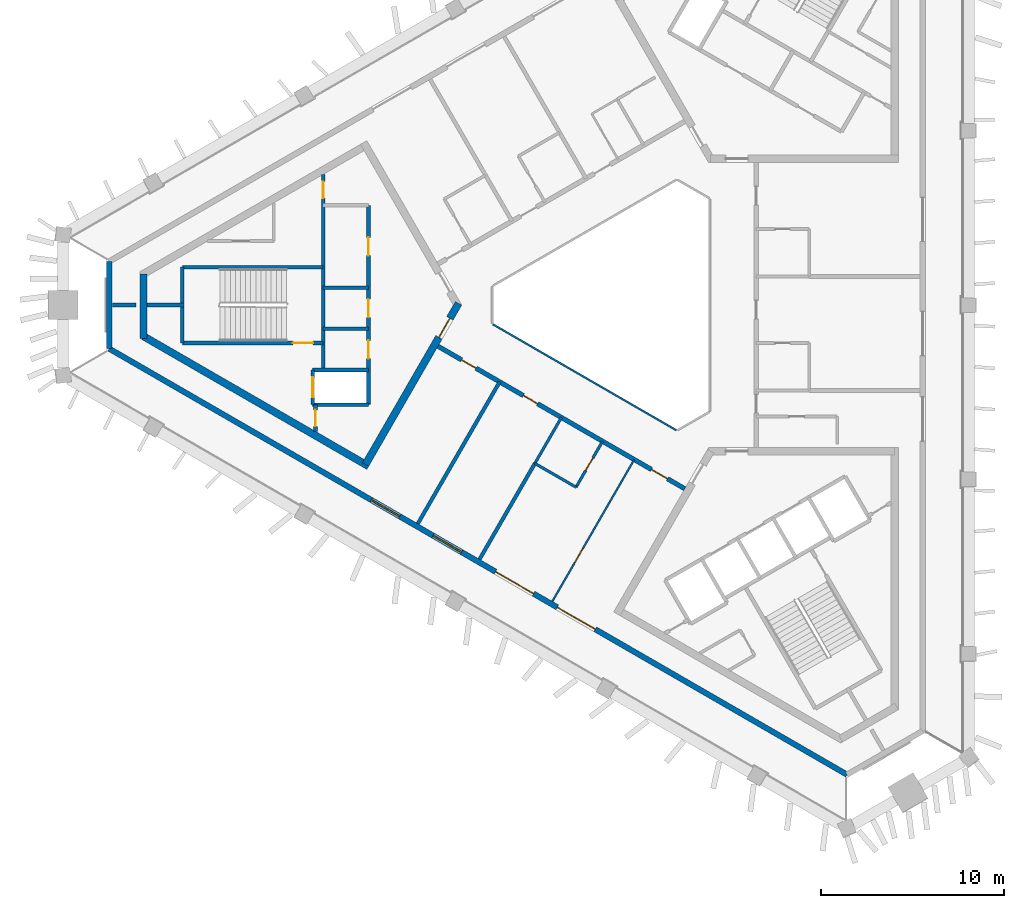
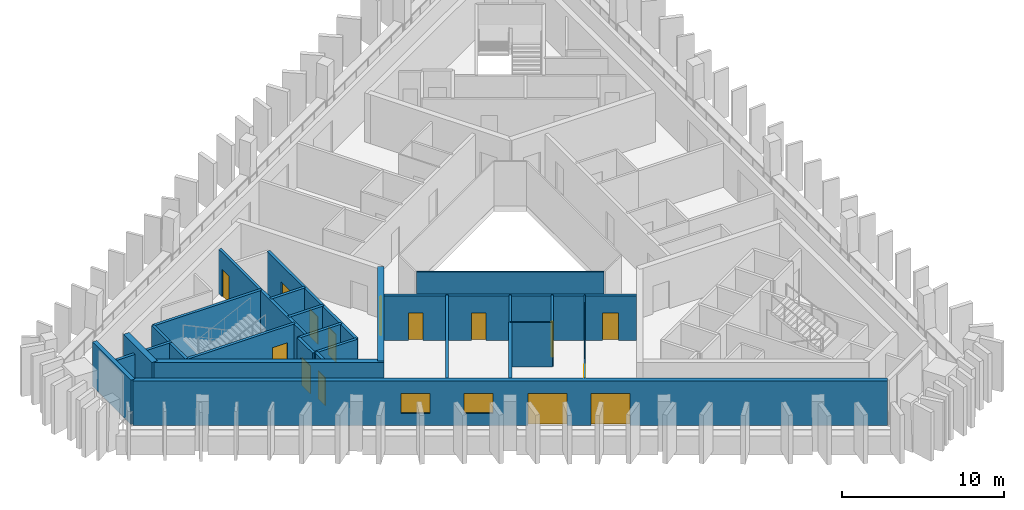
# One storey, part 2 of 8: 26 walls, 15 doors, 2 windows, 17 openings.
"""IFC4 building model written with IfcOpenShell, lengths in metres."""

from ifc_helpers import new_model, si_unit, direction, frame, frame_2d, origin, place, context, subcontext, project, spatial, rectangle, extrude, material, layer, layer_set, type_object, element, fill, save


model = new_model("IFC4")

# Units and contexts
model_context = context("Model", 3, precision=1e-05, world=origin(), true_north=direction((0.0, 1.0)))
body_context = subcontext(model_context, "Body", "Model", "MODEL_VIEW")
ifc_project = project(units=[si_unit("LENGTHUNIT", "METRE"), si_unit("AREAUNIT", "SQUARE_METRE"), si_unit("VOLUMEUNIT", "CUBIC_METRE"), si_unit("PLANEANGLEUNIT", "RADIAN"), si_unit("MASSUNIT", "GRAM", prefix="KILO")], contexts=[model_context])

# Site, building, storey
site_placement = place(None, origin())
site = spatial("IfcSite", under=ifc_project, at=site_placement, CompositionType="ELEMENT")
building_placement = place(site_placement, origin())
building = spatial("IfcBuilding", under=site, at=building_placement, Name="Jabali Bay Hotel Tower and Convention Centre", CompositionType="ELEMENT")
storey_placement = place(building_placement, frame((0.0, 0.0, 292.300048828125)))
storey = spatial("IfcBuildingStorey", under=building, at=storey_placement, Name="L72", CompositionType="ELEMENT", Elevation=292.300048828125)

# Walls
ifc_material_1 = material(Name="Fire-resistant glazing", Category="glass")
ifc_layer_1 = layer(ifc_material_1, 0.10009765625)
ifc_layer_set_1 = layer_set([ifc_layer_1], Name="Fire-resistant glazing")
wall_type_1 = type_object("IfcWallType", Name="Atrium glazed screen 100", PredefinedType="PARTITIONING", material=ifc_layer_set_1)
wall_1_placement = place(storey_placement, frame((67.7021484375, 78.947998046875, 0.0), z_axis=(0.0, 0.0, 1.0), x_axis=(0.866026658274, -0.499997827154, 0.0)))
element("IfcWall", 1, at=wall_1_placement, inside=storey, type_object=wall_type_1, Name="Atrium screen 5 L72", PredefinedType="PARTITIONING", context=body_context, shape_type="SweptSolid", body=[
    extrude(rectangle(XDim=11.58837890625, YDim=0.10009765625, at=frame_2d((5.794189453125, 0.0))), origin(), (0.0, 0.0, 1.0), 3.349853515625),
])
ifc_material_2 = material(Name="Concrete C40", Category="concrete")
ifc_layer_2 = layer(ifc_material_2, 0.199951171875)
ifc_layer_set_2 = layer_set([ifc_layer_2], Name="Concrete C40")
wall_type_2 = type_object("IfcWallType", Name="Core partition wall 200", PredefinedType="PARTITIONING", material=ifc_layer_set_2)
wall_2_placement = place(storey_placement, frame((50.820068359375, 80.0, 0.0), z_axis=(0.0, 0.0, 1.0), x_axis=(-1.0, 0.0, 0.0)))
element("IfcWall", 2, at=wall_2_placement, inside=storey, type_object=wall_type_2, Name="Core wall 0.4 L72", PredefinedType="PARTITIONING", context=body_context, shape_type="SweptSolid", body=[
    extrude(rectangle(XDim=2.023193359375, YDim=0.199951171875, at=frame_2d((1.01171875, 0.0))), origin(), (0.0, 0.0, 1.0), 3.349853515625),
])

# Wall, opening, door
wall_3_placement = place(storey_placement, frame((58.0, 74.550048828125, 0.0), z_axis=(0.0, 0.0, 1.0), x_axis=(0.0, -1.0, 0.0)))
wall_3 = element("IfcWall", 3, at=wall_3_placement, inside=storey, type_object=wall_type_2, Name="Core wall 0.11 L72", PredefinedType="PARTITIONING", context=body_context, shape_type="SweptSolid", body=[
    extrude(rectangle(XDim=1.455078125, YDim=0.199951171875, at=frame_2d((0.7275390625, 0.0))), origin(), (0.0, 0.0, 1.0), 3.349853515625),
])
opening_1_placement = place(wall_3_placement, frame((0.277587890625, 0.0, 0.0)))
opening_1 = element("IfcOpeningElement", 4, at=opening_1_placement, cuts=wall_3, Name="Opening D1594", PredefinedType="OPENING", context=body_context, shape_type="SweptSolid", body=[
    extrude(rectangle(XDim=0.89990234375, YDim=2.10009765625, at=frame_2d((0.449951171875, 1.050048828125))), frame((0.0, 0.1103515625, 0.0), z_axis=(0.0, -1.0, 0.0), x_axis=(1.0, 0.0, 0.0)), (0.0, 0.0, 1.0), 0.220947265625),
])
ifc_material_3 = material(Name="Fire-rated steel door", Category="steel")
door_type_1 = type_object("IfcDoorType", Name="Vestibule fire door 900 x 2100", OperationType="NOTDEFINED", PredefinedType="NOTDEFINED", material=ifc_material_3)
door_1_placement = place(opening_1_placement, origin())
door_1 = element("IfcDoor", 5, at=door_1_placement, inside=storey, type_object=door_type_1, Name="Vestibule fire door D1594", OperationType="SINGLE_SWING_LEFT", OverallHeight=2.10009765625, OverallWidth=0.89990234375, PredefinedType="NOTDEFINED", context=body_context, shape_type="SweptSolid", body=[
    extrude(rectangle(XDim=0.89990234375, YDim=2.10009765625, at=frame_2d((0.449951171875, 1.050048828125))), frame((0.0, 0.02490234375, 0.0), z_axis=(0.0, -1.0, 0.0), x_axis=(1.0, 0.0, 0.0)), (0.0, 0.0, 1.0), 0.050048828125),
])
fill(opening_1, door_1)

# Walls
ifc_layer_3 = layer(ifc_material_2, 0.199951171875)
ifc_layer_set_3 = layer_set([ifc_layer_3], Name="Concrete C40")
wall_type_3 = type_object("IfcWallType", Name="Core stair wall 200", PredefinedType="SOLIDWALL", material=ifc_layer_set_3)
wall_4_placement = place(storey_placement, frame((58.419921875, 82.074951171875, 0.0), z_axis=(0.0, 0.0, 1.0), x_axis=(-1.0, 0.0, 0.0)))
element("IfcWall", 6, at=wall_4_placement, inside=storey, type_object=wall_type_3, Name="Core wall 0.2 L72", PredefinedType="SOLIDWALL", context=body_context, shape_type="SweptSolid", body=[
    extrude(rectangle(XDim=7.699951171875, YDim=0.199951171875, at=frame_2d((3.85009765625, 0.0))), origin(), (0.0, 0.0, 1.0), 3.349853515625),
])
for number, where, z_axis, x_axis, name in (
    (7, (60.89990234375, 80.949951171875, 0.0), (0.0, 0.0, 1.0), (-1.0, 0.0, 0.0), "Core wall 0.3 L72"),
    (8, (60.89990234375, 78.699951171875, 0.0), (0.0, 0.0, 1.0), (-1.0, 0.0, 0.0), "Core wall 0.5 L72"),
):
    element("IfcWall", number, at=place(storey_placement, frame(where, z_axis=z_axis, x_axis=x_axis)), inside=storey, type_object=wall_type_3, Name=name, PredefinedType="SOLIDWALL", context=body_context, shape_type="SweptSolid", body=[
        extrude(rectangle(XDim=2.47998046875, YDim=0.199951171875, at=frame_2d((1.239990234375, 0.0))), origin(), (0.0, 0.0, 1.0), 3.349853515625),
    ])

# Wall, opening, door
wall_5_placement = place(storey_placement, frame((58.419921875, 77.925048828125, 0.0), z_axis=(0.0, 0.0, 1.0), x_axis=(-1.0, 0.0, 0.0)))
wall_5 = element("IfcWall", 9, at=wall_5_placement, inside=storey, type_object=wall_type_3, Name="Core wall 0.6 L72", PredefinedType="SOLIDWALL", context=body_context, shape_type="SweptSolid", body=[
    extrude(rectangle(XDim=7.699951171875, YDim=0.199951171875, at=frame_2d((3.85009765625, 0.0))), origin(), (0.0, 0.0, 1.0), 3.349853515625),
])
opening_2_placement = place(wall_5_placement, frame((0.550048828125, 0.0, 0.0)))
opening_2 = element("IfcOpeningElement", 10, at=opening_2_placement, cuts=wall_5, Name="Opening D1596", PredefinedType="OPENING", context=body_context, shape_type="SweptSolid", body=[
    extrude(rectangle(XDim=1.10009765625, YDim=2.10009765625, at=frame_2d((0.550048828125, 1.050048828125))), frame((0.0, 0.1103515625, 0.0), z_axis=(0.0, -1.0, 0.0), x_axis=(1.0, 0.0, 0.0)), (0.0, 0.0, 1.0), 0.220947265625),
])
door_type_2 = type_object("IfcDoorType", Name="Stair fire door 1100 x 2100", OperationType="NOTDEFINED", PredefinedType="NOTDEFINED", material=ifc_material_3)
door_2_placement = place(opening_2_placement, origin())
door_2 = element("IfcDoor", 11, at=door_2_placement, inside=storey, type_object=door_type_2, Name="Stair fire door D1596", OperationType="SINGLE_SWING_RIGHT", OverallHeight=2.10009765625, OverallWidth=1.10009765625, PredefinedType="NOTDEFINED", context=body_context, shape_type="SweptSolid", body=[
    extrude(rectangle(XDim=1.10009765625, YDim=2.10009765625, at=frame_2d((0.550048828125, 1.050048828125))), frame((0.0, 0.02490234375, 0.0), z_axis=(0.0, -1.0, 0.0), x_axis=(1.0, 0.0, 0.0)), (0.0, 0.0, 1.0), 0.050048828125),
])
fill(opening_2, door_2)

# Walls
for number, where, z_axis, x_axis, name in (
    (12, (60.89990234375, 76.449951171875, 0.0), (0.0, 0.0, 1.0), (-1.0, 0.0, 0.0), "Core wall 0.7 L72"),
    (13, (60.89990234375, 74.550048828125, 0.0), (0.0, 0.0, 1.0), (-1.0, 0.0, 0.0), "Core wall 0.8 L72"),
):
    element("IfcWall", number, at=place(storey_placement, frame(where, z_axis=z_axis, x_axis=x_axis)), inside=storey, type_object=wall_type_3, Name=name, PredefinedType="SOLIDWALL", context=body_context, shape_type="SweptSolid", body=[
        extrude(rectangle(XDim=3.0498046875, YDim=0.199951171875, at=frame_2d((1.52490234375, 0.0))), origin(), (0.0, 0.0, 1.0), 3.349853515625),
    ])

# Wall, openings, doors
wall_6_placement = place(storey_placement, frame((60.89990234375, 85.449951171875, 0.0), z_axis=(0.0, 0.0, 1.0), x_axis=(0.0, -1.0, 0.0)))
wall_6 = element("IfcWall", 14, at=wall_6_placement, inside=storey, type_object=wall_type_3, Name="Core wall 0.9 L72", PredefinedType="SOLIDWALL", context=body_context, shape_type="SweptSolid", body=[
    extrude(rectangle(XDim=10.89990234375, YDim=0.199951171875, at=frame_2d((5.449951171875, 0.0))), origin(), (0.0, 0.0, 1.0), 3.349853515625),
])
opening_3_placement = place(wall_6_placement, frame((1.75, 0.0, 0.0)))
opening_3 = element("IfcOpeningElement", 15, at=opening_3_placement, cuts=wall_6, Name="Opening D1591", PredefinedType="OPENING", context=body_context, shape_type="SweptSolid", body=[
    extrude(rectangle(XDim=1.0, YDim=2.10009765625, at=frame_2d((0.5, 1.050048828125))), frame((0.0, 0.1103515625, 0.0), z_axis=(0.0, -1.0, 0.0), x_axis=(1.0, 0.0, 0.0)), (0.0, 0.0, 1.0), 0.220947265625),
])
opening_4_placement = place(wall_6_placement, frame((5.125, 0.0, 0.0)))
opening_4 = element("IfcOpeningElement", 16, at=opening_4_placement, cuts=wall_6, Name="Opening D1592", PredefinedType="OPENING", context=body_context, shape_type="SweptSolid", body=[
    extrude(rectangle(XDim=1.0, YDim=2.10009765625, at=frame_2d((0.5, 1.050048828125))), frame((0.0, 0.1103515625, 0.0), z_axis=(0.0, -1.0, 0.0), x_axis=(1.0, 0.0, 0.0)), (0.0, 0.0, 1.0), 0.220947265625),
])
opening_5_placement = place(wall_6_placement, frame((7.375, 0.0, 0.0)))
opening_5 = element("IfcOpeningElement", 17, at=opening_5_placement, cuts=wall_6, Name="Opening D1593", PredefinedType="OPENING", context=body_context, shape_type="SweptSolid", body=[
    extrude(rectangle(XDim=1.0, YDim=2.10009765625, at=frame_2d((0.5, 1.050048828125))), frame((0.0, 0.1103515625, 0.0), z_axis=(0.0, -1.0, 0.0), x_axis=(1.0, 0.0, 0.0)), (0.0, 0.0, 1.0), 0.220947265625),
])
door_type_3 = type_object("IfcDoorType", Name="Core room door 1000 x 2100", OperationType="NOTDEFINED", PredefinedType="NOTDEFINED", material=ifc_material_3)
door_3_placement = place(opening_3_placement, origin())
door_3 = element("IfcDoor", 18, at=door_3_placement, inside=storey, type_object=door_type_3, Name="Core room door D1591", OperationType="SINGLE_SWING_RIGHT", OverallHeight=2.10009765625, OverallWidth=1.0, PredefinedType="NOTDEFINED", context=body_context, shape_type="SweptSolid", body=[
    extrude(rectangle(XDim=1.0, YDim=2.10009765625, at=frame_2d((0.5, 1.050048828125))), frame((0.0, 0.02490234375, 0.0), z_axis=(0.0, -1.0, 0.0), x_axis=(1.0, 0.0, 0.0)), (0.0, 0.0, 1.0), 0.050048828125),
])
fill(opening_3, door_3)
door_4_placement = place(opening_4_placement, origin())
door_4 = element("IfcDoor", 19, at=door_4_placement, inside=storey, type_object=door_type_3, Name="Core room door D1592", OperationType="SINGLE_SWING_RIGHT", OverallHeight=2.10009765625, OverallWidth=1.0, PredefinedType="NOTDEFINED", context=body_context, shape_type="SweptSolid", body=[
    extrude(rectangle(XDim=1.0, YDim=2.10009765625, at=frame_2d((0.5, 1.050048828125))), frame((0.0, 0.02490234375, 0.0), z_axis=(0.0, -1.0, 0.0), x_axis=(1.0, 0.0, 0.0)), (0.0, 0.0, 1.0), 0.050048828125),
])
fill(opening_4, door_4)
door_5_placement = place(opening_5_placement, origin())
door_5 = element("IfcDoor", 20, at=door_5_placement, inside=storey, type_object=door_type_3, Name="Core room door D1593", OperationType="SINGLE_SWING_RIGHT", OverallHeight=2.10009765625, OverallWidth=1.0, PredefinedType="NOTDEFINED", context=body_context, shape_type="SweptSolid", body=[
    extrude(rectangle(XDim=1.0, YDim=2.10009765625, at=frame_2d((0.5, 1.050048828125))), frame((0.0, 0.02490234375, 0.0), z_axis=(0.0, -1.0, 0.0), x_axis=(1.0, 0.0, 0.0)), (0.0, 0.0, 1.0), 0.050048828125),
])
fill(opening_5, door_5)

# Wall, opening, door
wall_7_placement = place(storey_placement, frame((58.419921875, 87.147705078125, 0.0), z_axis=(0.0, 0.0, 1.0), x_axis=(0.0, -1.0, 0.0)))
wall_7 = element("IfcWall", 21, at=wall_7_placement, inside=storey, type_object=wall_type_3, Name="Core wall 0.10 L72", PredefinedType="SOLIDWALL", context=body_context, shape_type="SweptSolid", body=[
    extrude(rectangle(XDim=10.69775390625, YDim=0.199951171875, at=frame_2d((5.348876953125, 0.0))), origin(), (0.0, 0.0, 1.0), 3.349853515625),
])
opening_6_placement = place(wall_7_placement, frame((0.398681640625, 0.0, 0.0)))
opening_6 = element("IfcOpeningElement", 22, at=opening_6_placement, cuts=wall_7, Name="Opening D1595", PredefinedType="OPENING", context=body_context, shape_type="SweptSolid", body=[
    extrude(rectangle(XDim=0.89990234375, YDim=2.10009765625, at=frame_2d((0.449951171875, 1.050048828125))), frame((0.0, 0.1103515625, 0.0), z_axis=(0.0, -1.0, 0.0), x_axis=(1.0, 0.0, 0.0)), (0.0, 0.0, 1.0), 0.220947265625),
])
door_6_placement = place(opening_6_placement, origin())
door_6 = element("IfcDoor", 23, at=door_6_placement, inside=storey, type_object=door_type_1, Name="Vestibule fire door D1595", OperationType="SINGLE_SWING_LEFT", OverallHeight=2.10009765625, OverallWidth=0.89990234375, PredefinedType="NOTDEFINED", context=body_context, shape_type="SweptSolid", body=[
    extrude(rectangle(XDim=0.89990234375, YDim=2.10009765625, at=frame_2d((0.449951171875, 1.050048828125))), frame((0.0, 0.02490234375, 0.0), z_axis=(0.0, -1.0, 0.0), x_axis=(1.0, 0.0, 0.0)), (0.0, 0.0, 1.0), 0.050048828125),
])
fill(opening_6, door_6)

wall_8_placement = place(storey_placement, frame((57.85009765625, 76.449951171875, 0.0), z_axis=(0.0, 0.0, 1.0), x_axis=(0.0, -1.0, 0.0)))
wall_8 = element("IfcWall", 24, at=wall_8_placement, inside=storey, type_object=wall_type_3, Name="Core wall 0.12 L72", PredefinedType="SOLIDWALL", context=body_context, shape_type="SweptSolid", body=[
    extrude(rectangle(XDim=1.89990234375, YDim=0.199951171875, at=frame_2d((0.949951171875, 0.0))), origin(), (0.0, 0.0, 1.0), 3.349853515625),
])
opening_7_placement = place(wall_8_placement, frame((0.39990234375, 0.0, 0.0)))
opening_7 = element("IfcOpeningElement", 25, at=opening_7_placement, cuts=wall_8, Name="Opening LD5-L72", PredefinedType="OPENING", context=body_context, shape_type="SweptSolid", body=[
    extrude(rectangle(XDim=1.10009765625, YDim=2.10009765625, at=frame_2d((0.550048828125, 1.050048828125))), frame((0.0, 0.1103515625, 0.0), z_axis=(0.0, -1.0, 0.0), x_axis=(1.0, 0.0, 0.0)), (0.0, 0.0, 1.0), 0.220947265625),
])
ifc_material_4 = material(Name="Stainless steel landing door", Category="steel")
door_type_4 = type_object("IfcDoorType", Name="Landing door 1100 x 2100", OperationType="NOTDEFINED", PredefinedType="NOTDEFINED", material=ifc_material_4)
door_7_placement = place(opening_7_placement, origin())
door_7 = element("IfcDoor", 26, at=door_7_placement, inside=storey, type_object=door_type_4, Name="Landing doors LD5-L72", OperationType="SLIDING_TO_RIGHT", OverallHeight=2.10009765625, OverallWidth=1.10009765625, PredefinedType="NOTDEFINED", context=body_context, shape_type="SweptSolid", body=[
    extrude(rectangle(XDim=1.10009765625, YDim=2.10009765625, at=frame_2d((0.550048828125, 1.050048828125))), frame((0.0, 0.02490234375, 0.0), z_axis=(0.0, -1.0, 0.0), x_axis=(1.0, 0.0, 0.0)), (0.0, 0.0, 1.0), 0.050048828125),
])
fill(opening_7, door_7)

# Walls
wall_9_placement = place(storey_placement, frame((50.719970703125, 82.074951171875, 0.0), z_axis=(0.0, 0.0, 1.0), x_axis=(0.0, -1.0, 0.0)))
element("IfcWall", 27, at=wall_9_placement, inside=storey, type_object=wall_type_3, Name="Core wall 0.14 L72", PredefinedType="SOLIDWALL", context=body_context, shape_type="SweptSolid", body=[
    extrude(rectangle(XDim=4.14990234375, YDim=0.199951171875, at=frame_2d((2.074951171875, 0.0))), origin(), (0.0, 0.0, 1.0), 3.349853515625),
])
ifc_material_5 = material(Name="Concrete C60", Category="concrete")
ifc_layer_4 = layer(ifc_material_5, 0.39990234375)
ifc_layer_set_4 = layer_set([ifc_layer_4], Name="Concrete C60")
wall_type_4 = type_object("IfcWallType", Name="Core wall 400", PredefinedType="SHEAR", material=ifc_layer_set_4)
wall_10_placement = place(storey_placement, frame((48.596923828125, 81.707275390625, 0.0), z_axis=(0.0, 0.0, 1.0), x_axis=(0.0, -1.0, 0.0)))
element("IfcWall", 28, at=wall_10_placement, inside=storey, type_object=wall_type_4, Name="Core wall 1.3 L72", PredefinedType="SHEAR", context=body_context, shape_type="SweptSolid", body=[
    extrude(rectangle(XDim=3.530029296875, YDim=0.39990234375, at=frame_2d((1.76513671875, 0.0))), origin(), (0.0, 0.0, 1.0), 3.699951171875),
])
wall_11_placement = place(storey_placement, frame((48.596923828125, 78.292724609375, 0.0), z_axis=(0.0, 0.0, 1.0), x_axis=(0.866026024469, -0.499998924941, 0.0)))
element("IfcWall", 29, at=wall_11_placement, inside=storey, type_object=wall_type_4, Name="Core wall 1.4 L72", PredefinedType="SHEAR", context=body_context, shape_type="SweptSolid", body=[
    extrude(rectangle(XDim=14.2177734375, YDim=0.39990234375, at=frame_2d((7.10888671875, 0.0))), origin(), (0.0, 0.0, 1.0), 3.699951171875),
])

# Wall, opening, door
wall_12_placement = place(storey_placement, frame((60.73681640625, 71.283935546875, 0.0), z_axis=(0.0, 0.0, 1.0), x_axis=(0.50000547566, 0.866022242388, 0.0)))
wall_12 = element("IfcWall", 30, at=wall_12_placement, inside=storey, type_object=wall_type_4, Name="Core wall 1.5 L72", PredefinedType="SHEAR", context=body_context, shape_type="SweptSolid", body=[
    extrude(rectangle(XDim=10.18017578125, YDim=0.39990234375, at=frame_2d((5.090087890625, 0.0))), origin(), (0.0, 0.0, 1.0), 3.699951171875),
])
opening_8_placement = place(wall_12_placement, frame((8.030029296875, 0.0, 0.0)))
opening_8 = element("IfcOpeningElement", 31, at=opening_8_placement, cuts=wall_12, Name="Opening D1590", PredefinedType="OPENING", context=body_context, shape_type="SweptSolid", body=[
    extrude(rectangle(XDim=1.199951171875, YDim=2.10009765625, at=frame_2d((0.60009765625, 1.050048828125))), frame((0.0, 0.21044921875, 0.0), z_axis=(0.0, -1.0, 0.0), x_axis=(1.0, 0.0, 0.0)), (0.0, 0.0, 1.0), 0.4208984375),
])
door_type_5 = type_object("IfcDoorType", Name="Corridor end fire door 1200 x 2100", OperationType="NOTDEFINED", PredefinedType="NOTDEFINED", material=ifc_material_3)
door_8_placement = place(opening_8_placement, origin())
door_8 = element("IfcDoor", 32, at=door_8_placement, inside=storey, type_object=door_type_5, Name="Corridor end fire door D1590", OperationType="SINGLE_SWING_LEFT", OverallHeight=2.10009765625, OverallWidth=1.199951171875, PredefinedType="NOTDEFINED", context=body_context, shape_type="SweptSolid", body=[
    extrude(rectangle(XDim=1.199951171875, YDim=2.10009765625, at=frame_2d((0.60009765625, 1.050048828125))), frame((0.0, 0.02490234375, 0.0), z_axis=(0.0, -1.0, 0.0), x_axis=(1.0, 0.0, 0.0)), (0.0, 0.0, 1.0), 0.050048828125),
])
fill(opening_8, door_8)

# Wall, openings, doors
ifc_layer_5 = layer(ifc_material_5, 0.25)
ifc_layer_set_5 = layer_set([ifc_layer_5], Name="Concrete C60")
wall_type_5 = type_object("IfcWallType", Name="Corridor wall 250", PredefinedType="SHEAR", material=ifc_layer_set_5)
wall_13_placement = place(storey_placement, frame((64.699951171875, 77.748291015625, 0.0), z_axis=(0.0, 0.0, 1.0), x_axis=(0.866026492143, -0.499998114903, 0.0)))
wall_13 = element("IfcWall", 33, at=wall_13_placement, inside=storey, type_object=wall_type_5, Name="Corridor wall 3 L72", PredefinedType="SHEAR", context=body_context, shape_type="SweptSolid", body=[
    extrude(rectangle(XDim=15.58837890625, YDim=0.25, at=frame_2d((7.794189453125, 0.0))), origin(), (0.0, 0.0, 1.0), 3.349853515625),
])
opening_9_placement = place(wall_13_placement, frame((1.49853515625, 0.0, 0.0)))
opening_9 = element("IfcOpeningElement", 34, at=opening_9_placement, cuts=wall_13, Name="Opening 7214", PredefinedType="OPENING", context=body_context, shape_type="SweptSolid", body=[
    extrude(rectangle(XDim=0.89990234375, YDim=2.10009765625, at=frame_2d((0.449951171875, 1.050048828125))), frame((0.0, 0.135498046875, 0.0), z_axis=(0.0, -1.0, 0.0), x_axis=(1.0, 0.0, 0.0)), (0.0, 0.0, 1.0), 0.27099609375),
])
opening_10_placement = place(wall_13_placement, frame((5.395751953125, 0.0, 0.0)))
opening_10 = element("IfcOpeningElement", 35, at=opening_10_placement, cuts=wall_13, Name="Opening 7215", PredefinedType="OPENING", context=body_context, shape_type="SweptSolid", body=[
    extrude(rectangle(XDim=0.89990234375, YDim=2.10009765625, at=frame_2d((0.449951171875, 1.050048828125))), frame((0.0, 0.135498046875, 0.0), z_axis=(0.0, -1.0, 0.0), x_axis=(1.0, 0.0, 0.0)), (0.0, 0.0, 1.0), 0.27099609375),
])
opening_11_placement = place(wall_13_placement, frame((13.4912109375, 0.0, 0.0)))
opening_11 = element("IfcOpeningElement", 36, at=opening_11_placement, cuts=wall_13, Name="Opening 7218", PredefinedType="OPENING", context=body_context, shape_type="SweptSolid", body=[
    extrude(rectangle(XDim=1.0, YDim=2.10009765625, at=frame_2d((0.5, 1.050048828125))), frame((0.0, 0.135498046875, 0.0), z_axis=(0.0, -1.0, 0.0), x_axis=(1.0, 0.0, 0.0)), (0.0, 0.0, 1.0), 0.27099609375),
])
ifc_material_6 = material(Name="Timber", Category="wood")
door_type_6 = type_object("IfcDoorType", Name="Guest room door 1000 x 2100", OperationType="NOTDEFINED", PredefinedType="NOTDEFINED", material=ifc_material_6)
door_9_placement = place(opening_11_placement, origin())
door_9 = element("IfcDoor", 37, at=door_9_placement, inside=storey, type_object=door_type_6, Name="Door 7218", OperationType="SINGLE_SWING_RIGHT", OverallHeight=2.10009765625, OverallWidth=1.0, PredefinedType="NOTDEFINED", context=body_context, shape_type="SweptSolid", body=[
    extrude(rectangle(XDim=1.0, YDim=2.10009765625, at=frame_2d((0.5, 1.050048828125))), frame((0.0, 0.02490234375, 0.0), z_axis=(0.0, -1.0, 0.0), x_axis=(1.0, 0.0, 0.0)), (0.0, 0.0, 1.0), 0.050048828125),
])
fill(opening_11, door_9)
door_type_7 = type_object("IfcDoorType", Name="Internal door 900 x 2100", OperationType="NOTDEFINED", PredefinedType="NOTDEFINED", material=ifc_material_6)
door_10_placement = place(opening_9_placement, origin())
door_10 = element("IfcDoor", 38, at=door_10_placement, inside=storey, type_object=door_type_7, Name="Door 7214", OperationType="SINGLE_SWING_LEFT", OverallHeight=2.10009765625, OverallWidth=0.89990234375, PredefinedType="NOTDEFINED", context=body_context, shape_type="SweptSolid", body=[
    extrude(rectangle(XDim=0.89990234375, YDim=2.10009765625, at=frame_2d((0.449951171875, 1.050048828125))), frame((0.0, 0.02490234375, 0.0), z_axis=(0.0, -1.0, 0.0), x_axis=(1.0, 0.0, 0.0)), (0.0, 0.0, 1.0), 0.050048828125),
])
fill(opening_9, door_10)
door_11_placement = place(opening_10_placement, origin())
door_11 = element("IfcDoor", 39, at=door_11_placement, inside=storey, type_object=door_type_7, Name="Door 7215", OperationType="SINGLE_SWING_LEFT", OverallHeight=2.10009765625, OverallWidth=0.89990234375, PredefinedType="NOTDEFINED", context=body_context, shape_type="SweptSolid", body=[
    extrude(rectangle(XDim=0.89990234375, YDim=2.10009765625, at=frame_2d((0.449951171875, 1.050048828125))), frame((0.0, 0.02490234375, 0.0), z_axis=(0.0, -1.0, 0.0), x_axis=(1.0, 0.0, 0.0)), (0.0, 0.0, 1.0), 0.050048828125),
])
fill(opening_10, door_11)

# Wall
ifc_layer_6 = layer(ifc_material_2, 0.300048828125)
ifc_layer_set_6 = layer_set([ifc_layer_6], Name="Concrete C40")
wall_type_6 = type_object("IfcWallType", Name="External wall 300", PredefinedType="SOLIDWALL", material=ifc_layer_set_6)
wall_14_placement = place(storey_placement, frame((46.718994140625, 77.61669921875, 0.0), z_axis=(0.0, 0.0, 1.0), x_axis=(0.0, 1.0, 0.0)))
element("IfcWall", 40, at=wall_14_placement, inside=storey, type_object=wall_type_6, Name="External wall west chamfer L72", PredefinedType="SOLIDWALL", context=body_context, shape_type="SweptSolid", body=[
    extrude(rectangle(XDim=4.7666015625, YDim=0.300048828125, at=frame_2d((2.38330078125, 0.0))), origin(), (0.0, 0.0, 1.0), 3.349853515625),
])

# Wall, openings, doors, windows
wall_15_placement = place(storey_placement, frame((87.076416015625, 54.31640625, 0.0), z_axis=(0.0, 0.0, 1.0), x_axis=(-0.866026104534, 0.499998786264, 0.0)))
wall_15 = element("IfcWall", 41, at=wall_15_placement, inside=storey, type_object=wall_type_6, Name="External wall south-west face L72", PredefinedType="SOLIDWALL", context=body_context, shape_type="SweptSolid", body=[
    extrude(rectangle(XDim=46.6005859375, YDim=0.300048828125, at=frame_2d((23.30029296875, 0.0))), origin(), (0.0, 0.0, 1.0), 3.349853515625),
])
opening_12_placement = place(wall_15_placement, frame((19.80029296875, 0.0, 0.0)))
opening_12 = element("IfcOpeningElement", 42, at=opening_12_placement, cuts=wall_15, Name="Opening SD1", PredefinedType="OPENING", context=body_context, shape_type="SweptSolid", body=[
    extrude(rectangle(XDim=2.39990234375, YDim=2.39990234375, at=frame_2d((1.199951171875, 1.199951171875))), frame((0.0, 0.16064453125, 0.0), z_axis=(0.0, -1.0, 0.0), x_axis=(1.0, 0.0, 0.0)), (0.0, 0.0, 1.0), 0.321044921875),
])
opening_13_placement = place(wall_15_placement, frame((15.9033203125, 0.0, 0.0)))
opening_13 = element("IfcOpeningElement", 43, at=opening_13_placement, cuts=wall_15, Name="Opening SD1", PredefinedType="OPENING", context=body_context, shape_type="SweptSolid", body=[
    extrude(rectangle(XDim=2.39990234375, YDim=2.39990234375, at=frame_2d((1.199951171875, 1.199951171875))), frame((0.0, 0.16064453125, 0.0), z_axis=(0.0, -1.0, 0.0), x_axis=(1.0, 0.0, 0.0)), (0.0, 0.0, 1.0), 0.321044921875),
])
opening_14_placement = place(wall_15_placement, frame((28.24609375, 0.0, 0.89990234375)))
opening_14 = element("IfcOpeningElement", 44, at=opening_14_placement, cuts=wall_15, Name="Opening W1", PredefinedType="OPENING", context=body_context, shape_type="SweptSolid", body=[
    extrude(rectangle(XDim=1.800048828125, YDim=1.5, at=frame_2d((0.89990234375, 0.75))), frame((0.0, 0.16064453125, 0.0), z_axis=(0.0, -1.0, 0.0), x_axis=(1.0, 0.0, 0.0)), (0.0, 0.0, 1.0), 0.321044921875),
])
opening_15_placement = place(wall_15_placement, frame((24.348876953125, 0.0, 0.89990234375)))
opening_15 = element("IfcOpeningElement", 45, at=opening_15_placement, cuts=wall_15, Name="Opening W1", PredefinedType="OPENING", context=body_context, shape_type="SweptSolid", body=[
    extrude(rectangle(XDim=1.800048828125, YDim=1.5, at=frame_2d((0.89990234375, 0.75))), frame((0.0, 0.16064453125, 0.0), z_axis=(0.0, -1.0, 0.0), x_axis=(1.0, 0.0, 0.0)), (0.0, 0.0, 1.0), 0.321044921875),
])
ifc_material_7 = material(Name="Glass", Category="glass")
door_type_8 = type_object("IfcDoorType", Name="Loggia sliding door 2400 x 2400", OperationType="NOTDEFINED", PredefinedType="NOTDEFINED", material=ifc_material_7)
door_12_placement = place(opening_12_placement, origin())
door_12 = element("IfcDoor", 46, at=door_12_placement, inside=storey, type_object=door_type_8, Name="Loggia sliding door 7209", OperationType="SLIDING_TO_LEFT", OverallHeight=2.39990234375, OverallWidth=2.39990234375, PredefinedType="NOTDEFINED", context=body_context, shape_type="SweptSolid", body=[
    extrude(rectangle(XDim=2.39990234375, YDim=2.39990234375, at=frame_2d((1.199951171875, 1.199951171875))), frame((0.0, 0.02490234375, 0.0), z_axis=(0.0, -1.0, 0.0), x_axis=(1.0, 0.0, 0.0)), (0.0, 0.0, 1.0), 0.050048828125),
])
fill(opening_12, door_12)
door_13_placement = place(opening_13_placement, origin())
door_13 = element("IfcDoor", 47, at=door_13_placement, inside=storey, type_object=door_type_8, Name="Loggia sliding door 7209", OperationType="SLIDING_TO_RIGHT", OverallHeight=2.39990234375, OverallWidth=2.39990234375, PredefinedType="NOTDEFINED", context=body_context, shape_type="SweptSolid", body=[
    extrude(rectangle(XDim=2.39990234375, YDim=2.39990234375, at=frame_2d((1.199951171875, 1.199951171875))), frame((0.0, 0.02490234375, 0.0), z_axis=(0.0, -1.0, 0.0), x_axis=(1.0, 0.0, 0.0)), (0.0, 0.0, 1.0), 0.050048828125),
])
fill(opening_13, door_13)
window_type = type_object("IfcWindowType", Name="Window 1800 x 1500", PartitioningType="SINGLE_PANEL", PredefinedType="WINDOW", material=ifc_material_7)
window_1_placement = place(opening_14_placement, origin())
window_1 = element("IfcWindow", 48, at=window_1_placement, inside=storey, type_object=window_type, Name="Window 7207", OverallHeight=1.5, OverallWidth=1.800048828125, PartitioningType="SINGLE_PANEL", PredefinedType="WINDOW", context=body_context, shape_type="SweptSolid", body=[
    extrude(rectangle(XDim=1.800048828125, YDim=1.5, at=frame_2d((0.89990234375, 0.75))), frame((0.0, 0.030029296875, 0.0), z_axis=(0.0, -1.0, 0.0), x_axis=(1.0, 0.0, 0.0)), (0.0, 0.0, 1.0), 0.06005859375),
])
fill(opening_14, window_1)
window_2_placement = place(opening_15_placement, origin())
window_2 = element("IfcWindow", 49, at=window_2_placement, inside=storey, type_object=window_type, Name="Window 7208", OverallHeight=1.5, OverallWidth=1.800048828125, PartitioningType="SINGLE_PANEL", PredefinedType="WINDOW", context=body_context, shape_type="SweptSolid", body=[
    extrude(rectangle(XDim=1.800048828125, YDim=1.5, at=frame_2d((0.89990234375, 0.75))), frame((0.0, 0.030029296875, 0.0), z_axis=(0.0, -1.0, 0.0), x_axis=(1.0, 0.0, 0.0)), (0.0, 0.0, 1.0), 0.06005859375),
])
fill(opening_15, window_2)

# Wall, opening, door
ifc_material_8 = material(Name="Plasterboard on steel stud", Category="steel")
ifc_layer_7 = layer(ifc_material_8, 0.10009765625)
ifc_layer_set_7 = layer_set([ifc_layer_7], Name="Plasterboard on steel stud")
wall_type_7 = type_object("IfcWallType", Name="Partition 100 unit", PredefinedType="PARTITIONING", material=ifc_layer_set_7)
wall_16_placement = place(storey_placement, frame((70.9560546875, 63.795654296875, 0.0), z_axis=(0.0, 0.0, 1.0), x_axis=(0.500006420084, 0.866021697116, 0.0)))
wall_16 = element("IfcWall", 50, at=wall_16_placement, inside=storey, type_object=wall_type_7, Name="Partition P02 L72 027", PredefinedType="PARTITIONING", context=body_context, shape_type="SweptSolid", body=[
    extrude(rectangle(XDim=8.95556640625, YDim=0.10009765625, at=frame_2d((4.477783203125, 0.0))), origin(), (0.0, 0.0, 1.0), 3.349853515625),
])
opening_16_placement = place(wall_16_placement, frame((2.427978515625, 0.0, 0.0)))
opening_16 = element("IfcOpeningElement", 51, at=opening_16_placement, cuts=wall_16, Name="Opening 7217", PredefinedType="OPENING", context=body_context, shape_type="SweptSolid", body=[
    extrude(rectangle(XDim=0.89990234375, YDim=2.10009765625, at=frame_2d((0.449951171875, 1.050048828125))), frame((0.0, 0.060546875, 0.0), z_axis=(0.0, -1.0, 0.0), x_axis=(1.0, 0.0, 0.0)), (0.0, 0.0, 1.0), 0.12109375),
])
door_14_placement = place(opening_16_placement, origin())
door_14 = element("IfcDoor", 52, at=door_14_placement, inside=storey, type_object=door_type_7, Name="Door 7217", OperationType="SINGLE_SWING_RIGHT", OverallHeight=2.10009765625, OverallWidth=0.89990234375, PredefinedType="NOTDEFINED", context=body_context, shape_type="SweptSolid", body=[
    extrude(rectangle(XDim=0.89990234375, YDim=2.10009765625, at=frame_2d((0.449951171875, 1.050048828125))), frame((0.0, 0.02490234375, 0.0), z_axis=(0.0, -1.0, 0.0), x_axis=(1.0, 0.0, 0.0)), (0.0, 0.0, 1.0), 0.050048828125),
])
fill(opening_16, door_14)

# Wall
ifc_layer_8 = layer(ifc_material_8, 0.14990234375)
ifc_layer_set_8 = layer_set([ifc_layer_8], Name="Plasterboard on steel stud")
wall_type_8 = type_object("IfcWallType", Name="Partition 150 wet", PredefinedType="PARTITIONING", material=ifc_layer_set_8)
wall_17_placement = place(storey_placement, frame((70.0, 71.33984375, 0.0), z_axis=(0.0, 0.0, 1.0), x_axis=(0.499987231761, 0.866032775405, 0.0)))
element("IfcWall", 53, at=wall_17_placement, inside=storey, type_object=wall_type_8, Name="Partition P03 L72 026", PredefinedType="PARTITIONING", context=body_context, shape_type="SweptSolid", body=[
    extrude(rectangle(XDim=2.89990234375, YDim=0.14990234375, at=frame_2d((1.449951171875, 0.0))), origin(), (0.0, 0.0, 1.0), 3.349853515625),
])

# Wall, opening, door
wall_18_placement = place(storey_placement, frame((73.70166015625, 72.55126953125, 0.0), z_axis=(0.0, 0.0, 1.0), x_axis=(-0.499987231761, -0.866032775405, 0.0)))
wall_18 = element("IfcWall", 54, at=wall_18_placement, inside=storey, type_object=wall_type_8, Name="Partition P03 L72 028", PredefinedType="PARTITIONING", context=body_context, shape_type="SweptSolid", body=[
    extrude(rectangle(XDim=2.89990234375, YDim=0.14990234375, at=frame_2d((1.449951171875, 0.0))), origin(), (0.0, 0.0, 1.0), 3.349853515625),
])
opening_17_placement = place(wall_18_placement, frame((1.050048828125, 0.0, 0.0)))
opening_17 = element("IfcOpeningElement", 55, at=opening_17_placement, cuts=wall_18, Name="Opening 7216", PredefinedType="OPENING", context=body_context, shape_type="SweptSolid", body=[
    extrude(rectangle(XDim=0.800048828125, YDim=2.10009765625, at=frame_2d((0.39990234375, 1.050048828125))), frame((0.0, 0.08544921875, 0.0), z_axis=(0.0, -1.0, 0.0), x_axis=(1.0, 0.0, 0.0)), (0.0, 0.0, 1.0), 0.1708984375),
])
door_type_9 = type_object("IfcDoorType", Name="En-suite door 800 x 2100", OperationType="NOTDEFINED", PredefinedType="NOTDEFINED", material=ifc_material_6)
door_15_placement = place(opening_17_placement, origin())
door_15 = element("IfcDoor", 56, at=door_15_placement, inside=storey, type_object=door_type_9, Name="Door 7216", OperationType="SINGLE_SWING_RIGHT", OverallHeight=2.10009765625, OverallWidth=0.800048828125, PredefinedType="NOTDEFINED", context=body_context, shape_type="SweptSolid", body=[
    extrude(rectangle(XDim=0.800048828125, YDim=2.10009765625, at=frame_2d((0.39990234375, 1.050048828125))), frame((0.0, 0.02490234375, 0.0), z_axis=(0.0, -1.0, 0.0), x_axis=(1.0, 0.0, 0.0)), (0.0, 0.0, 1.0), 0.050048828125),
])
fill(opening_17, door_15)

# Walls
wall_19_placement = place(storey_placement, frame((72.251708984375, 70.039794921875, 0.0), z_axis=(0.0, 0.0, 1.0), x_axis=(-0.866021400173, 0.500006934395, 0.0)))
element("IfcWall", 57, at=wall_19_placement, inside=storey, type_object=wall_type_8, Name="Partition P03 L72 029", PredefinedType="PARTITIONING", context=body_context, shape_type="SweptSolid", body=[
    extrude(rectangle(XDim=2.60009765625, YDim=0.14990234375, at=frame_2d((1.300048828125, 0.0))), origin(), (0.0, 0.0, 1.0), 3.349853515625),
])
ifc_layer_9 = layer(ifc_material_8, 0.199951171875)
ifc_layer_set_9 = layer_set([ifc_layer_9], Name="Plasterboard on steel stud")
wall_type_9 = type_object("IfcWallType", Name="Partition 200 party", PredefinedType="PARTITIONING", material=ifc_layer_set_9)
wall_20_placement = place(storey_placement, frame((46.88916015625, 80.0009765625, 0.0), z_axis=(0.0, 0.0, 1.0), x_axis=(1.0, 0.0, 0.0)))
element("IfcWall", 58, at=wall_20_placement, inside=storey, type_object=wall_type_9, Name="Partition P01 L72 023", PredefinedType="PARTITIONING", context=body_context, shape_type="SweptSolid", body=[
    extrude(rectangle(XDim=1.287841796875, YDim=0.199951171875, at=frame_2d((0.64404296875, 0.0))), origin(), (0.0, 0.0, 1.0), 3.349853515625),
])
wall_21_placement = place(storey_placement, frame((63.59716796875, 68.044189453125, 0.0), z_axis=(0.0, 0.0, 1.0), x_axis=(0.500006420084, 0.866021697116, 0.0)))
element("IfcWall", 59, at=wall_21_placement, inside=storey, type_object=wall_type_9, Name="Partition P01 L72 024", PredefinedType="PARTITIONING", context=body_context, shape_type="SweptSolid", body=[
    extrude(rectangle(XDim=8.95556640625, YDim=0.199951171875, at=frame_2d((4.477783203125, 0.0))), origin(), (0.0, 0.0, 1.0), 3.349853515625),
])
wall_22_placement = place(storey_placement, frame((66.97216796875, 66.095458984375, 0.0), z_axis=(0.0, 0.0, 1.0), x_axis=(0.49999815154, 0.866026470991, 0.0)))
element("IfcWall", 60, at=wall_22_placement, inside=storey, type_object=wall_type_9, Name="Partition P01 L72 025", PredefinedType="PARTITIONING", context=body_context, shape_type="SweptSolid", body=[
    extrude(rectangle(XDim=6.0556640625, YDim=0.199951171875, at=frame_2d((3.02783203125, 0.0))), origin(), (0.0, 0.0, 1.0), 3.349853515625),
])

save(model, "model.ifc")
